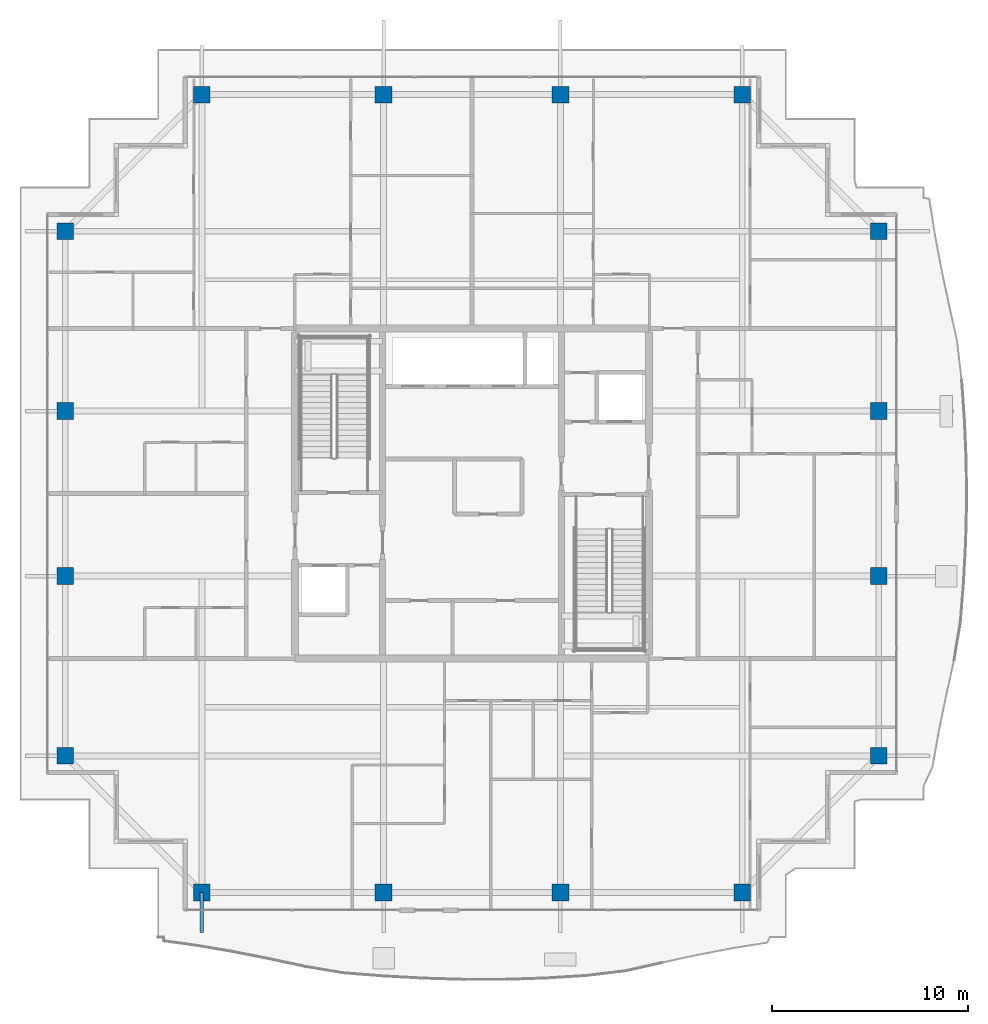
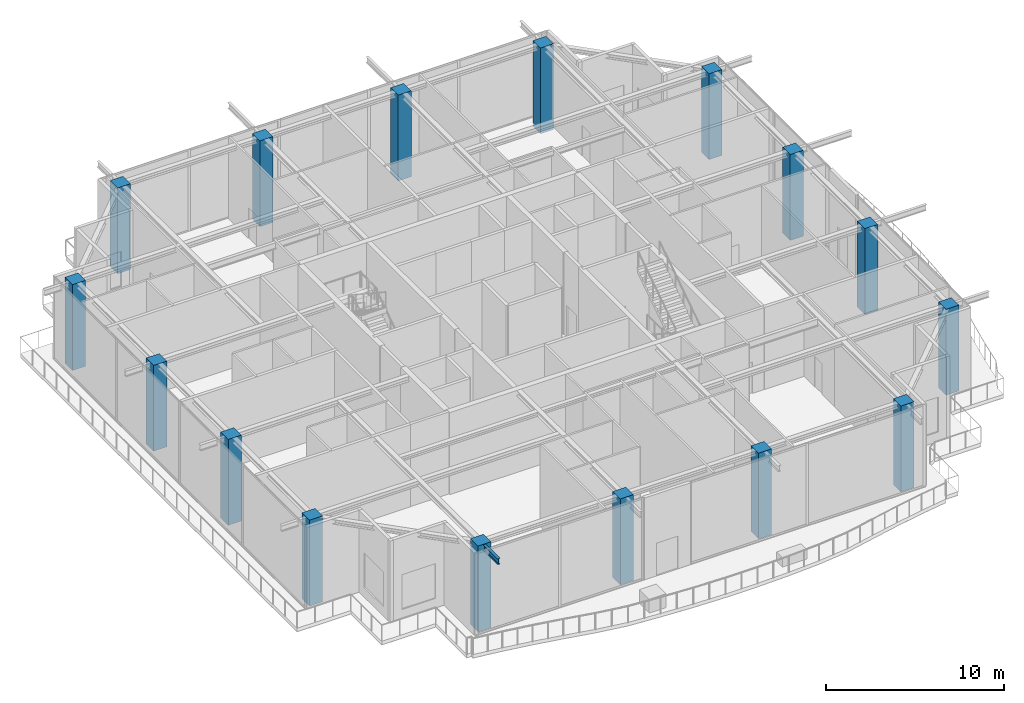
# One storey, part 1 of 38: 16 columns, 1 beam.
"""IFC4 building model written with IfcOpenShell, lengths in metres."""

from ifc_helpers import new_model, si_unit, direction, frame, origin, origin_2d, place, context, subcontext, project, spatial, rectangle, i_section, extrude, source, transform, mapped, material, material_profile, profile_set, type_object, element, save


model = new_model("IFC4")

# Units and contexts
model_context = context("Model", 3, precision=1e-05, world=origin(), true_north=direction((0.0, 1.0)))
body_context = subcontext(model_context, "Body", "Model", "MODEL_VIEW")
ifc_project = project(units=[si_unit("LENGTHUNIT", "METRE"), si_unit("AREAUNIT", "SQUARE_METRE"), si_unit("VOLUMEUNIT", "CUBIC_METRE"), si_unit("PLANEANGLEUNIT", "RADIAN"), si_unit("MASSUNIT", "GRAM", prefix="KILO")], contexts=[model_context])

# Site, building, storey
site_placement = place(None, origin())
site = spatial("IfcSite", under=ifc_project, at=site_placement, CompositionType="ELEMENT")
building_placement = place(site_placement, origin())
building = spatial("IfcBuilding", under=site, at=building_placement, Name="Serunith Strait Residences", CompositionType="ELEMENT")
storey_placement = place(building_placement, frame((0.0, 0.0, 342.050048828125)))
storey = spatial("IfcBuildingStorey", under=building, at=storey_placement, Name="L85", CompositionType="ELEMENT", Elevation=342.050048828125)

# Columns
ifc_material_1 = material(Name="Concrete C60/75", Category="concrete")
ifc_material_profile_1 = material_profile(ifc_material_1, rectangle(XDim=0.85009765625, YDim=0.85009765625, at=origin_2d()), Name="RC 850x850")
ifc_profile_set_1 = profile_set([ifc_material_profile_1], Name="Concrete C60/75")
column_type = type_object("IfcColumnType", Name="COL-RC-850", PredefinedType="COLUMN", material=ifc_profile_set_1)
shared_shape_1 = source(origin(), body_context, "Body", "SweptSolid", [
    extrude(rectangle(XDim=0.85009765625, YDim=0.85009765625, at=origin_2d()), origin(), (0.0, 0.0, 1.0), 5.89990234375),
])
for number, where, z_axis, x_axis, name in (
    (1, (18.64990234375, 4.89990234375, -0.260009765625), (0.0, 0.0, 1.0), (1.0, 0.0, 0.0), "L85 Tower Mega-Column TC-S1"),
    (2, (27.89990234375, 4.89990234375, -0.260009765625), (0.0, 0.0, 1.0), (1.0, 0.0, 0.0), "L85 Tower Mega-Column TC-S2"),
    (3, (36.89990234375, 4.89990234375, -0.260009765625), (0.0, 0.0, 1.0), (1.0, 0.0, 0.0), "L85 Tower Mega-Column TC-S3"),
    (4, (46.14990234375, 4.89990234375, -0.260009765625), (0.0, 0.0, 1.0), (1.0, 0.0, 0.0), "L85 Tower Mega-Column TC-S4"),
    (5, (18.64990234375, 45.5, -0.260009765625), (0.0, 0.0, 1.0), (1.0, 0.0, 0.0), "L85 Tower Mega-Column TC-N1"),
    (6, (27.89990234375, 45.5, -0.260009765625), (0.0, 0.0, 1.0), (1.0, 0.0, 0.0), "L85 Tower Mega-Column TC-N2"),
    (7, (36.89990234375, 45.5, -0.260009765625), (0.0, 0.0, 1.0), (1.0, 0.0, 0.0), "L85 Tower Mega-Column TC-N3"),
    (8, (46.14990234375, 45.5, -0.260009765625), (0.0, 0.0, 1.0), (1.0, 0.0, 0.0), "L85 Tower Mega-Column TC-N4"),
    (9, (53.10009765625, 11.85009765625, -0.260009765625), (0.0, 0.0, 1.0), (1.0, 0.0, 0.0), "L85 Tower Mega-Column TC-E1"),
    (10, (53.10009765625, 21.0, -0.260009765625), (0.0, 0.0, 1.0), (1.0, 0.0, 0.0), "L85 Tower Mega-Column TC-E2"),
    (11, (53.10009765625, 29.39990234375, -0.260009765625), (0.0, 0.0, 1.0), (1.0, 0.0, 0.0), "L85 Tower Mega-Column TC-E3"),
    (12, (53.10009765625, 38.550048828125, -0.260009765625), (0.0, 0.0, 1.0), (1.0, 0.0, 0.0), "L85 Tower Mega-Column TC-E4"),
    (13, (11.699951171875, 11.85009765625, -0.260009765625), (0.0, 0.0, 1.0), (1.0, 0.0, 0.0), "L85 Tower Mega-Column TC-W1"),
    (14, (11.699951171875, 21.0, -0.260009765625), (0.0, 0.0, 1.0), (1.0, 0.0, 0.0), "L85 Tower Mega-Column TC-W2"),
    (15, (11.699951171875, 29.39990234375, -0.260009765625), (0.0, 0.0, 1.0), (1.0, 0.0, 0.0), "L85 Tower Mega-Column TC-W3"),
    (16, (11.699951171875, 38.550048828125, -0.260009765625), (0.0, 0.0, 1.0), (1.0, 0.0, 0.0), "L85 Tower Mega-Column TC-W4"),
):
    element("IfcColumn", number, at=place(storey_placement, frame(where, z_axis=z_axis, x_axis=x_axis)), inside=storey, type_object=column_type, Name=name, PredefinedType="COLUMN", context=body_context, shape_type="MappedRepresentation", body=[
        mapped(shared_shape_1, transform((0.0, 0.0, 0.0), scale=1.0)),
    ])

# Beam
ifc_material_2 = material(Name="Steel S355J2", Category="steel")
ifc_material_profile_2 = material_profile(ifc_material_2, i_section(OverallWidth=0.179931640625, OverallDepth=0.39990234375, WebThickness=0.008544921875, FlangeThickness=0.013427734375, FilletRadius=0.02099609375, at=origin_2d()), Name="IPE 400")
ifc_profile_set_2 = profile_set([ifc_material_profile_2], Name="Steel S355J2")
beam_type = type_object("IfcBeamType", Name="BM-IPE400", PredefinedType="JOIST", material=ifc_profile_set_2)
shared_shape_2 = source(origin(), body_context, "Body", "SweptSolid", [
    extrude(i_section(OverallWidth=0.179931640625, OverallDepth=0.39990234375, WebThickness=0.008544921875, FlangeThickness=0.013427734375, FilletRadius=0.02099609375, at=origin_2d()), origin(), (0.0, 0.0, 1.0), 2.02978515625),
])
beam_placement = place(storey_placement, frame((18.64990234375, 4.89990234375, 5.406982421875), z_axis=(0.0, -1.0, 0.0), x_axis=(1.0, 0.0, 0.0)))
element("IfcBeam", 17, at=beam_placement, inside=storey, type_object=beam_type, Name="L86 Cantilevered Balcony Rib TC-S1", PredefinedType="JOIST", context=body_context, shape_type="MappedRepresentation", body=[
    mapped(shared_shape_2, transform((0.0, 0.0, 0.0), scale=1.0)),
])

save(model, "model.ifc")
